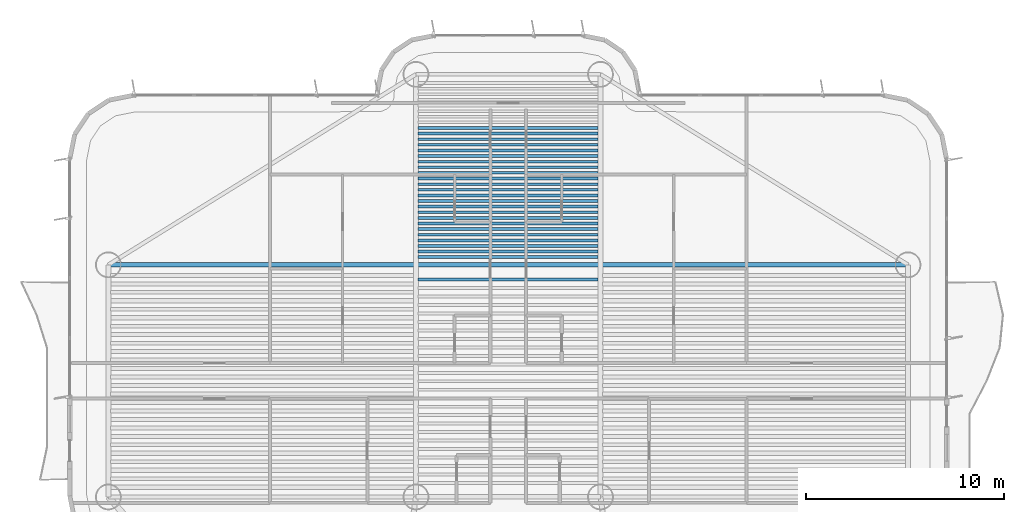
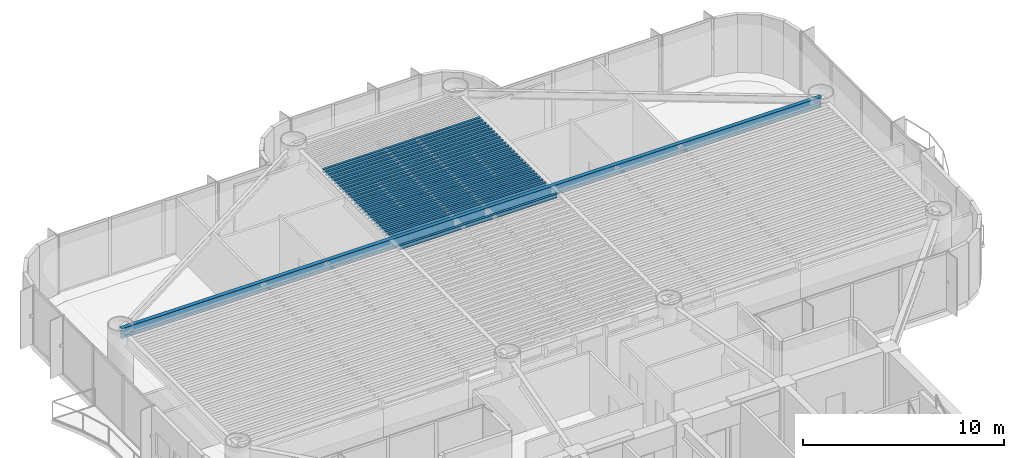
# One storey, part 6 of 17: 26 beams.
"""IFC4 building model written with IfcOpenShell, lengths in metres."""

from ifc_helpers import new_model, si_unit, direction, frame, origin, origin_2d, place, context, subcontext, project, spatial, i_section, extrude, source, transform, mapped, material, material_profile, profile_set, type_object, element, save


model = new_model("IFC4")

# Units and contexts
model_context = context("Model", 3, precision=1e-05, world=origin(), true_north=direction((0.0, 1.0)))
body_context = subcontext(model_context, "Body", "Model", "MODEL_VIEW")
ifc_project = project(units=[si_unit("LENGTHUNIT", "METRE"), si_unit("AREAUNIT", "SQUARE_METRE"), si_unit("VOLUMEUNIT", "CUBIC_METRE"), si_unit("PLANEANGLEUNIT", "RADIAN"), si_unit("MASSUNIT", "GRAM", prefix="KILO")], contexts=[model_context])

# Site, building, storey
site_placement = place(None, origin())
site = spatial("IfcSite", under=ifc_project, at=site_placement, CompositionType="ELEMENT")
building_placement = place(site_placement, origin())
building = spatial("IfcBuilding", under=site, at=building_placement, Name="Brelvock Crest Care Tower", CompositionType="ELEMENT")
storey_placement = place(building_placement, frame((0.0, 0.0, 89.820068359375)))
storey = spatial("IfcBuildingStorey", under=building, at=storey_placement, Name="L22", CompositionType="ELEMENT", Elevation=89.820068359375)

# Beams
ifc_material = material(Name="Steel Grade 350", Category="steel")
ifc_material_profile_1 = material_profile(ifc_material, i_section(OverallWidth=0.14599609375, OverallDepth=0.256103515625, WebThickness=0.00634765625, FlangeThickness=0.010986328125, FilletRadius=0.0087890625, at=origin_2d()), Name="250UB37.3")
ifc_profile_set_1 = profile_set([ifc_material_profile_1], Name="Steel Grade 350")
beam_type_1 = type_object("IfcBeamType", Name="BM-J3", PredefinedType="JOIST", material=ifc_profile_set_1)
shared_shape_1 = source(origin(), body_context, "Body", "SweptSolid", [
    extrude(i_section(OverallWidth=0.14599609375, OverallDepth=0.256103515625, WebThickness=0.00634765625, FlangeThickness=0.010986328125, FilletRadius=0.0087890625, at=origin_2d()), origin(), (0.0, 0.0, 1.0), 9.06982421875),
])
for number, where, z_axis, x_axis, name in (
    (1, (31.465087890625, 38.10400390625, 3.40185546875), (1.0, 0.0, 0.0), (0.0, 1.0, 0.0), "BM-JH-L22-25"),
    (2, (31.465087890625, 39.23388671875, 3.40185546875), (1.0, 0.0, 0.0), (0.0, 1.0, 0.0), "BM-JN-L22-1"),
    (3, (31.465087890625, 39.51708984375, 3.40185546875), (1.0, 0.0, 0.0), (0.0, 1.0, 0.0), "BM-JN-L22-2"),
    (4, (31.465087890625, 39.80029296875, 3.40185546875), (1.0, 0.0, 0.0), (0.0, 1.0, 0.0), "BM-JN-L22-3"),
    (5, (31.465087890625, 40.08349609375, 3.40185546875), (1.0, 0.0, 0.0), (0.0, 1.0, 0.0), "BM-JN-L22-4"),
    (6, (31.465087890625, 40.36669921875, 3.40185546875), (1.0, 0.0, 0.0), (0.0, 1.0, 0.0), "BM-JN-L22-5"),
    (7, (31.465087890625, 40.64990234375, 3.40185546875), (1.0, 0.0, 0.0), (0.0, 1.0, 0.0), "BM-JN-L22-6"),
    (8, (31.465087890625, 40.93310546875, 3.40185546875), (1.0, 0.0, 0.0), (0.0, 1.0, 0.0), "BM-JN-L22-7"),
    (9, (31.465087890625, 41.21630859375, 3.40185546875), (1.0, 0.0, 0.0), (0.0, 1.0, 0.0), "BM-JN-L22-8"),
    (10, (31.465087890625, 41.49951171875, 3.40185546875), (1.0, 0.0, 0.0), (0.0, 1.0, 0.0), "BM-JN-L22-9"),
    (11, (31.465087890625, 41.78271484375, 3.40185546875), (1.0, 0.0, 0.0), (0.0, 1.0, 0.0), "BM-JN-L22-10"),
    (12, (31.465087890625, 42.06591796875, 3.40185546875), (1.0, 0.0, 0.0), (0.0, 1.0, 0.0), "BM-JN-L22-11"),
    (13, (31.465087890625, 42.34912109375, 3.40185546875), (1.0, 0.0, 0.0), (0.0, 1.0, 0.0), "BM-JN-L22-12"),
    (14, (31.465087890625, 42.63232421875, 3.40185546875), (1.0, 0.0, 0.0), (0.0, 1.0, 0.0), "BM-JN-L22-13"),
):
    element("IfcBeam", number, at=place(storey_placement, frame(where, z_axis=z_axis, x_axis=x_axis)), inside=storey, type_object=beam_type_1, Name=name, PredefinedType="JOIST", context=body_context, shape_type="MappedRepresentation", body=[
        mapped(shared_shape_1, transform((0.0, 0.0, 0.0), x_axis=(1.0, 0.0, 0.0), y_axis=(0.0, 1.0, 0.0), z_axis=(0.0, 0.0, 1.0), scale=1.0)),
    ])
ifc_material_profile_2 = material_profile(ifc_material, i_section(OverallWidth=0.134033203125, OverallDepth=0.20703125, WebThickness=0.00634765625, FlangeThickness=0.009521484375, FilletRadius=0.0087890625, at=origin_2d()), Name="200UB29.8")
ifc_profile_set_2 = profile_set([ifc_material_profile_2], Name="Steel Grade 350")
beam_type_2 = type_object("IfcBeamType", Name="BM-J4", PredefinedType="JOIST", material=ifc_profile_set_2)
shared_shape_2 = source(origin(), body_context, "Body", "SweptSolid", [
    extrude(i_section(OverallWidth=0.134033203125, OverallDepth=0.20703125, WebThickness=0.00634765625, FlangeThickness=0.009521484375, FilletRadius=0.0087890625, at=origin_2d()), origin(), (0.0, 0.0, 1.0), 9.06982421875),
])
for number, where, z_axis, x_axis, name in (
    (15, (31.465087890625, 42.91552734375, 3.426513671875), (1.0, 0.0, 0.0), (0.0, 1.0, 0.0), "BM-JN-L22-14"),
    (16, (31.465087890625, 43.19873046875, 3.426513671875), (1.0, 0.0, 0.0), (0.0, 1.0, 0.0), "BM-JN-L22-15"),
    (17, (31.465087890625, 43.48193359375, 3.426513671875), (1.0, 0.0, 0.0), (0.0, 1.0, 0.0), "BM-JN-L22-16"),
    (18, (31.465087890625, 43.76513671875, 3.426513671875), (1.0, 0.0, 0.0), (0.0, 1.0, 0.0), "BM-JN-L22-17"),
    (19, (31.465087890625, 44.04833984375, 3.426513671875), (1.0, 0.0, 0.0), (0.0, 1.0, 0.0), "BM-JN-L22-18"),
    (20, (31.465087890625, 44.33154296875, 3.426513671875), (1.0, 0.0, 0.0), (0.0, 1.0, 0.0), "BM-JN-L22-19"),
    (21, (31.465087890625, 44.61474609375, 3.426513671875), (1.0, 0.0, 0.0), (0.0, 1.0, 0.0), "BM-JN-L22-20"),
    (22, (31.465087890625, 44.89794921875, 3.426513671875), (1.0, 0.0, 0.0), (0.0, 1.0, 0.0), "BM-JN-L22-21"),
    (23, (31.465087890625, 45.18115234375, 3.426513671875), (1.0, 0.0, 0.0), (0.0, 1.0, 0.0), "BM-JN-L22-22"),
    (24, (31.465087890625, 45.46435546875, 3.426513671875), (1.0, 0.0, 0.0), (0.0, 1.0, 0.0), "BM-JN-L22-23"),
    (25, (31.465087890625, 45.74755859375, 3.426513671875), (1.0, 0.0, 0.0), (0.0, 1.0, 0.0), "BM-JN-L22-24"),
):
    element("IfcBeam", number, at=place(storey_placement, frame(where, z_axis=z_axis, x_axis=x_axis)), inside=storey, type_object=beam_type_2, Name=name, PredefinedType="JOIST", context=body_context, shape_type="MappedRepresentation", body=[
        mapped(shared_shape_2, transform((0.0, 0.0, 0.0), x_axis=(1.0, 0.0, 0.0), y_axis=(0.0, 1.0, 0.0), z_axis=(0.0, 0.0, 1.0), scale=1.0)),
    ])
ifc_material_profile_3 = material_profile(ifc_material, i_section(OverallWidth=0.22900390625, OverallDepth=0.612060546875, WebThickness=0.011962890625, FlangeThickness=0.01953125, FilletRadius=0.013916015625, at=origin_2d()), Name="610UB125")
ifc_profile_set_3 = profile_set([ifc_material_profile_3], Name="Steel Grade 350")
beam_type_3 = type_object("IfcBeamType", Name="BM-G1", PredefinedType="BEAM", material=ifc_profile_set_3)
shared_shape_3 = source(origin(), body_context, "Body", "SweptSolid", [
    extrude(i_section(OverallWidth=0.22900390625, OverallDepth=0.612060546875, WebThickness=0.011962890625, FlangeThickness=0.01953125, FilletRadius=0.013916015625, at=origin_2d()), origin(), (0.0, 0.0, 1.0), 40.2998046875),
])
beam_placement = place(storey_placement, frame((15.85009765625, 38.85009765625, 3.223876953125), z_axis=(1.0, 0.0, 0.0), x_axis=(0.0, 1.0, 0.0)))
element("IfcBeam", 26, at=beam_placement, inside=storey, type_object=beam_type_3, Name="BM-TWR-L22-11", PredefinedType="BEAM", context=body_context, shape_type="MappedRepresentation", body=[
    mapped(shared_shape_3, transform((0.0, 0.0, 0.0), x_axis=(1.0, 0.0, 0.0), y_axis=(0.0, 1.0, 0.0), z_axis=(0.0, 0.0, 1.0), scale=1.0)),
])

save(model, "model.ifc")
